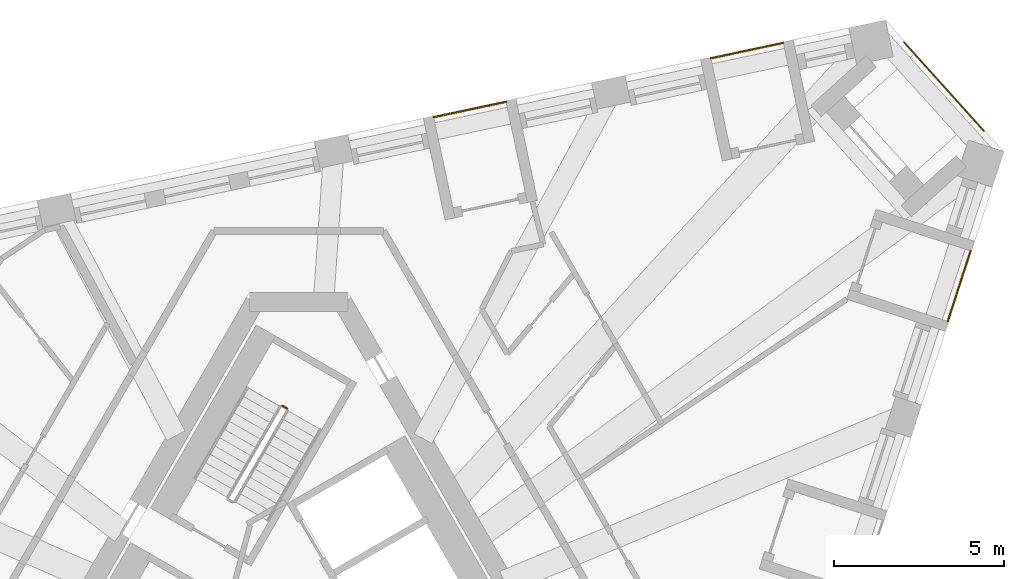
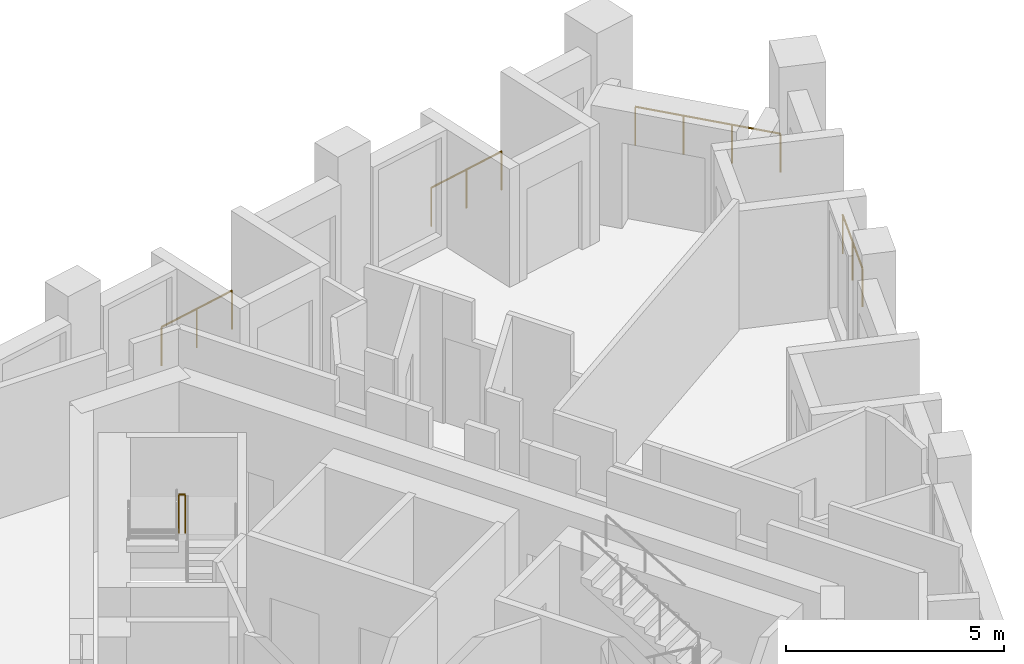
# One storey, part 12 of 12: 5 railings.
"""IFC4 building model written with IfcOpenShell, lengths in metres."""

from ifc_helpers import new_model, si_unit, direction, frame, origin, origin_2d, place, context, subcontext, project, spatial, circle, extrude, material, type_object, element, save


model = new_model("IFC4")

# Units and contexts
model_context = context("Model", 3, precision=1e-05, world=origin(), true_north=direction((0.0, 1.0)))
body_context = subcontext(model_context, "Body", "Model", "MODEL_VIEW")
ifc_project = project(units=[si_unit("LENGTHUNIT", "METRE"), si_unit("AREAUNIT", "SQUARE_METRE"), si_unit("VOLUMEUNIT", "CUBIC_METRE"), si_unit("PLANEANGLEUNIT", "RADIAN"), si_unit("MASSUNIT", "GRAM", prefix="KILO")], contexts=[model_context])

# Site, building, storey
site_placement = place(None, origin())
site = spatial("IfcSite", under=ifc_project, at=site_placement, CompositionType="ELEMENT")
building_placement = place(site_placement, origin())
building = spatial("IfcBuilding", under=site, at=building_placement, Name="Tramontana Tower", CompositionType="ELEMENT")
storey_placement = place(building_placement, frame((0.0, 0.0, 340.39990234375)))
storey = spatial("IfcBuildingStorey", under=building, at=storey_placement, Name="L78", CompositionType="ELEMENT", Elevation=340.39990234375)

# Railings
ifc_material_1 = material(Name="Laminated glass balustrade", Category="glass")
railing_type_1 = type_object("IfcRailingType", Name="GD1 Loggia glass balustrade 1100", PredefinedType="BALUSTRADE", material=ifc_material_1)
railing_1_placement = place(storey_placement, frame((19.0400390625, 10.1552734375, 0.0)))
element("IfcRailing", 1, at=railing_1_placement, inside=storey, type_object=railing_type_1, Name="Loggia balustrade L78 G8S1.13", PredefinedType="BALUSTRADE", context=body_context, shape_type="SweptSolid", body=[
    extrude(circle(Radius=0.02392578125, at=origin_2d()), frame((0.0, 0.0, 1.076171875), z_axis=(0.308966581759, 0.95107289487, 0.0), x_axis=(-0.95107289487, 0.308966581759, 0.0)), (0.0, 0.0, 1.0), 2.17138671875),
    extrude(circle(Radius=0.02099609375, at=origin_2d()), origin(), (0.0, 0.0, 1.0), 1.052001953125),
    extrude(circle(Radius=0.02099609375, at=origin_2d()), frame((0.33544921875, 1.03271484375, 0.0)), (0.0, 0.0, 1.0), 1.052001953125),
    extrude(circle(Radius=0.02099609375, at=origin_2d()), frame((0.6708984375, 2.065185546875, 0.0)), (0.0, 0.0, 1.0), 1.052001953125),
])
for number, where, name in (
    (2, (14.2138671875, 18.32568359375, 0.0), "Loggia balustrade L78 G8S2.1"),
    (3, (6.08154296875, 16.59716796875, 0.0), "Loggia balustrade L78 G8S2.4"),
):
    element("IfcRailing", number, at=place(storey_placement, frame(where)), inside=storey, type_object=railing_type_1, Name=name, PredefinedType="BALUSTRADE", context=body_context, shape_type="SweptSolid", body=[
        extrude(circle(Radius=0.02392578125, at=origin_2d()), frame((0.0, 0.0, 1.076171875), z_axis=(-0.978148276005, -0.207908513891, 0.0), x_axis=(0.207908513891, -0.978148276005, 0.0)), (0.0, 0.0, 1.0), 2.171142578125),
        extrude(circle(Radius=0.02099609375, at=origin_2d()), origin(), (0.0, 0.0, 1.0), 1.052001953125),
        extrude(circle(Radius=0.02099609375, at=origin_2d()), frame((-1.06201171875, -0.2255859375, 0.0)), (0.0, 0.0, 1.0), 1.052001953125),
        extrude(circle(Radius=0.02099609375, at=origin_2d()), frame((-2.123779296875, -0.451416015625, 0.0)), (0.0, 0.0, 1.0), 1.052001953125),
    ])
railing_2_placement = place(storey_placement, frame((17.7568359375, 18.34326171875, 0.0)))
element("IfcRailing", 4, at=railing_2_placement, inside=storey, type_object=railing_type_1, Name="Corner loggia balustrade L78 K82", PredefinedType="BALUSTRADE", context=body_context, shape_type="SweptSolid", body=[
    extrude(circle(Radius=0.02392578125, at=origin_2d()), frame((0.0, 0.0, 1.076171875), z_axis=(0.669134277936, -0.743141519559, 0.0), x_axis=(0.743141519559, 0.669134277936, 0.0)), (0.0, 0.0, 1.0), 3.5),
    extrude(circle(Radius=0.02099609375, at=origin_2d()), origin(), (0.0, 0.0, 1.0), 1.052001953125),
    extrude(circle(Radius=0.02099609375, at=origin_2d()), frame((0.78076171875, -0.866943359375, 0.0)), (0.0, 0.0, 1.0), 1.052001953125),
    extrude(circle(Radius=0.02099609375, at=origin_2d()), frame((1.561279296875, -1.734130859375, 0.0)), (0.0, 0.0, 1.0), 1.052001953125),
    extrude(circle(Radius=0.02099609375, at=origin_2d()), frame((2.342041015625, -2.60107421875, 0.0)), (0.0, 0.0, 1.0), 1.052001953125),
])
ifc_material_2 = material(Name="Painted steel", Category="steel")
railing_type_2 = type_object("IfcRailingType", Name="STAIR GUARD 1100", PredefinedType="GUARDRAIL", material=ifc_material_2)
railing_3_placement = place(storey_placement, frame((-0.345703125, 7.601318359375, 2.0)))
element("IfcRailing", 5, at=railing_3_placement, inside=storey, type_object=railing_type_2, Name="L78 ST1 stair guard 3", PredefinedType="GUARDRAIL", context=body_context, shape_type="SweptSolid", body=[
    extrude(circle(Radius=0.02392578125, at=origin_2d()), frame((0.0, 0.0, 1.076171875), z_axis=(-0.866131372301, 0.499816412211, 0.0), x_axis=(-0.499816412211, -0.866131372301, 0.0)), (0.0, 0.0, 1.0), 0.14990234375),
    extrude(circle(Radius=0.02099609375, at=origin_2d()), origin(), (0.0, 0.0, 1.0), 1.052001953125),
    extrude(circle(Radius=0.02099609375, at=origin_2d()), frame((-0.1298828125, 0.074951171875, 0.0)), (0.0, 0.0, 1.0), 1.052001953125),
])

save(model, "model.ifc")
